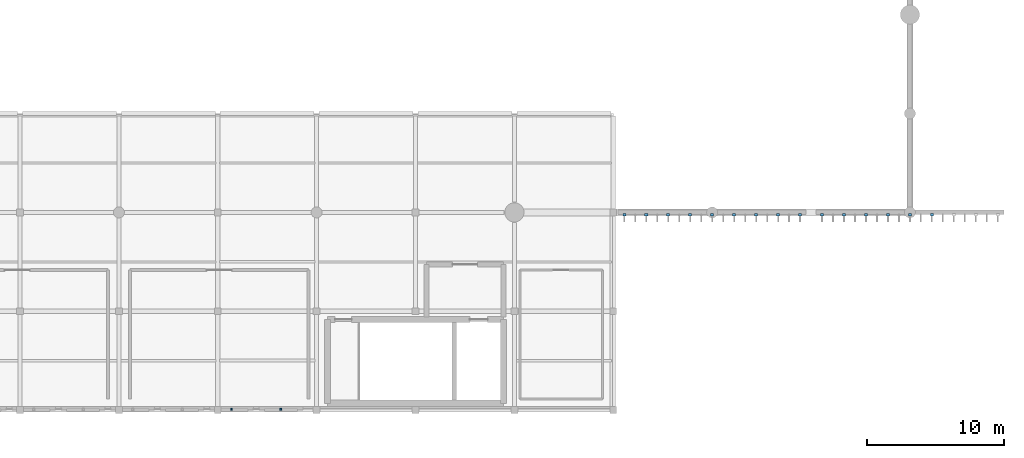
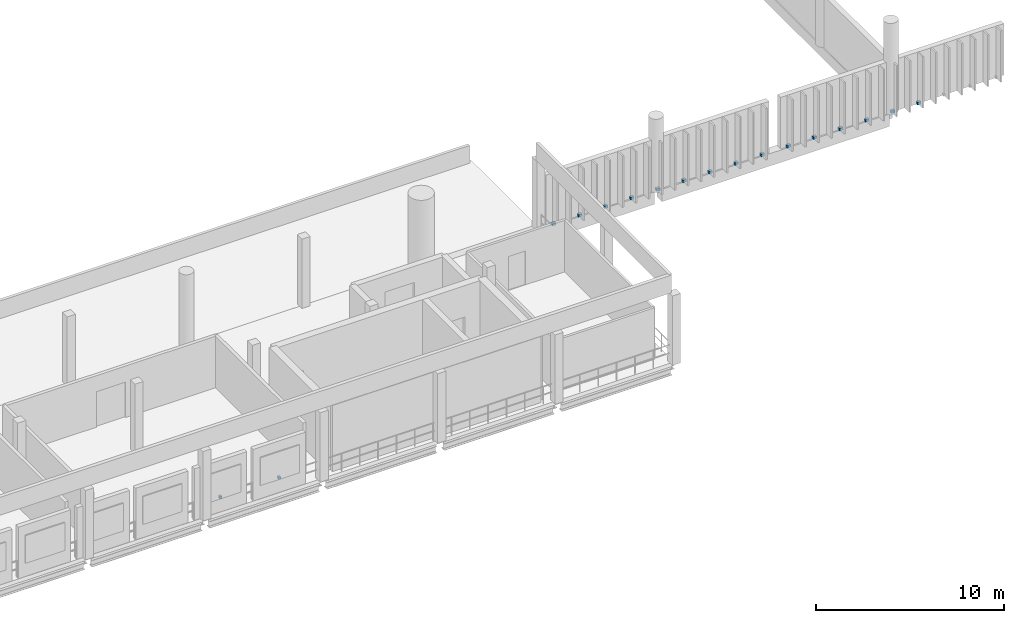
# One storey, part 53 of 64: 17 discrete accessories.
"""IFC4 building model written with IfcOpenShell, lengths in metres."""

from ifc_helpers import new_model, si_unit, direction, frame, origin, origin_2d, place, context, subcontext, project, spatial, rectangle, extrude, material, type_object, element, save


model = new_model("IFC4")

# Units and contexts
model_context = context("Model", 3, precision=1e-05, world=origin(), true_north=direction((0.0, 1.0)))
body_context = subcontext(model_context, "Body", "Model", "MODEL_VIEW")
ifc_project = project(units=[si_unit("LENGTHUNIT", "METRE"), si_unit("AREAUNIT", "SQUARE_METRE"), si_unit("VOLUMEUNIT", "CUBIC_METRE"), si_unit("PLANEANGLEUNIT", "RADIAN"), si_unit("MASSUNIT", "GRAM", prefix="KILO")], contexts=[model_context])

# Site, building, storey
site_placement = place(None, origin())
site = spatial("IfcSite", under=ifc_project, at=site_placement, CompositionType="ELEMENT")
building_placement = place(site_placement, origin())
building = spatial("IfcBuilding", under=site, at=building_placement, Name="Qandorah Velis Arena", CompositionType="ELEMENT")
storey_placement = place(building_placement, frame((0.0, 0.0, 23.0)))
storey = spatial("IfcBuildingStorey", under=building, at=storey_placement, Name="L05", CompositionType="ELEMENT", Elevation=23.0)

# Discrete accessories
ifc_material = material(Name="Stainless steel 316", Category="steel")
discrete_accessory_type = type_object("IfcDiscreteAccessoryType", Name="ARC-ACC-BRK", PredefinedType="BRACKET", material=ifc_material)
for number, where, z_axis, x_axis, name in (
    (1, (94.39990234375, 14.219970703125, -0.009765625), (0.0, 0.0, 1.0), (1.0, 0.0, 0.0), "Solar fin mounting bracket BRK-0108"),
    (2, (96.0, 14.219970703125, -0.009765625), (0.0, 0.0, 1.0), (1.0, 0.0, 0.0), "Solar fin mounting bracket BRK-0109"),
    (3, (97.60009765625, 14.219970703125, -0.009765625), (0.0, 0.0, 1.0), (1.0, 0.0, 0.0), "Solar fin mounting bracket BRK-0110"),
    (4, (99.199951171875, 14.219970703125, -0.009765625), (0.0, 0.0, 1.0), (1.0, 0.0, 0.0), "Solar fin mounting bracket BRK-0111"),
    (5, (100.800048828125, 14.219970703125, -0.009765625), (0.0, 0.0, 1.0), (1.0, 0.0, 0.0), "Solar fin mounting bracket BRK-0112"),
    (6, (102.39990234375, 14.219970703125, -0.009765625), (0.0, 0.0, 1.0), (1.0, 0.0, 0.0), "Solar fin mounting bracket BRK-0113"),
    (7, (104.0, 14.219970703125, -0.009765625), (0.0, 0.0, 1.0), (1.0, 0.0, 0.0), "Solar fin mounting bracket BRK-0114"),
    (8, (105.60009765625, 14.219970703125, -0.009765625), (0.0, 0.0, 1.0), (1.0, 0.0, 0.0), "Solar fin mounting bracket BRK-0115"),
    (9, (107.199951171875, 14.219970703125, -0.009765625), (0.0, 0.0, 1.0), (1.0, 0.0, 0.0), "Solar fin mounting bracket BRK-0116"),
    (10, (108.800048828125, 14.219970703125, -0.009765625), (0.0, 0.0, 1.0), (1.0, 0.0, 0.0), "Solar fin mounting bracket BRK-0126"),
    (11, (110.39990234375, 14.219970703125, -0.009765625), (0.0, 0.0, 1.0), (1.0, 0.0, 0.0), "Solar fin mounting bracket BRK-0127"),
    (12, (112.0, 14.219970703125, -0.009765625), (0.0, 0.0, 1.0), (1.0, 0.0, 0.0), "Solar fin mounting bracket BRK-0128"),
    (13, (113.60009765625, 14.219970703125, -0.009765625), (0.0, 0.0, 1.0), (1.0, 0.0, 0.0), "Solar fin mounting bracket BRK-0129"),
    (14, (115.199951171875, 14.219970703125, -0.009765625), (0.0, 0.0, 1.0), (1.0, 0.0, 0.0), "Solar fin mounting bracket BRK-0130"),
    (15, (116.800048828125, 14.219970703125, -0.009765625), (0.0, 0.0, 1.0), (1.0, 0.0, 0.0), "Solar fin mounting bracket BRK-0131"),
):
    element("IfcDiscreteAccessory", number, at=place(storey_placement, frame(where, z_axis=z_axis, x_axis=x_axis)), inside=storey, type_object=discrete_accessory_type, Name=name, PredefinedType="BRACKET", context=body_context, shape_type="SweptSolid", body=[
        extrude(rectangle(XDim=0.219970703125, YDim=0.179931640625, at=origin_2d()), origin(), (0.0, 0.0, 1.0), 0.159912109375),
    ])
for number, where, z_axis, x_axis, name in (
    (16, (65.800048828125, 0.06005859375, 0.8798828125), (0.0, 0.0, 1.0), (1.0, 0.0, 0.0), "Acoustic louvre mounting bracket LBRK-07"),
    (17, (69.39990234375, 0.06005859375, 0.8798828125), (0.0, 0.0, 1.0), (1.0, 0.0, 0.0), "Acoustic louvre mounting bracket LBRK-08"),
):
    element("IfcDiscreteAccessory", number, at=place(storey_placement, frame(where, z_axis=z_axis, x_axis=x_axis)), inside=storey, type_object=discrete_accessory_type, Name=name, PredefinedType="BRACKET", context=body_context, shape_type="SweptSolid", body=[
        extrude(rectangle(XDim=0.139892578125, YDim=0.159912109375, at=origin_2d()), origin(), (0.0, 0.0, 1.0), 0.139892578125),
    ])

save(model, "model.ifc")
